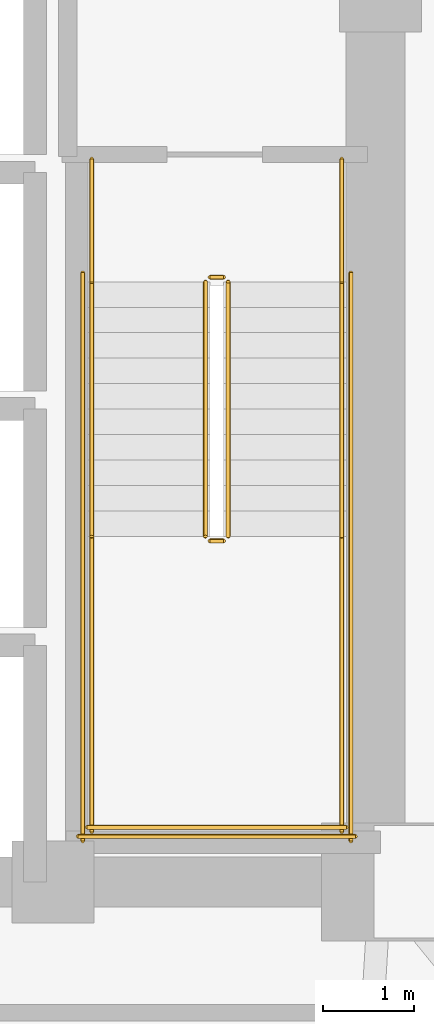
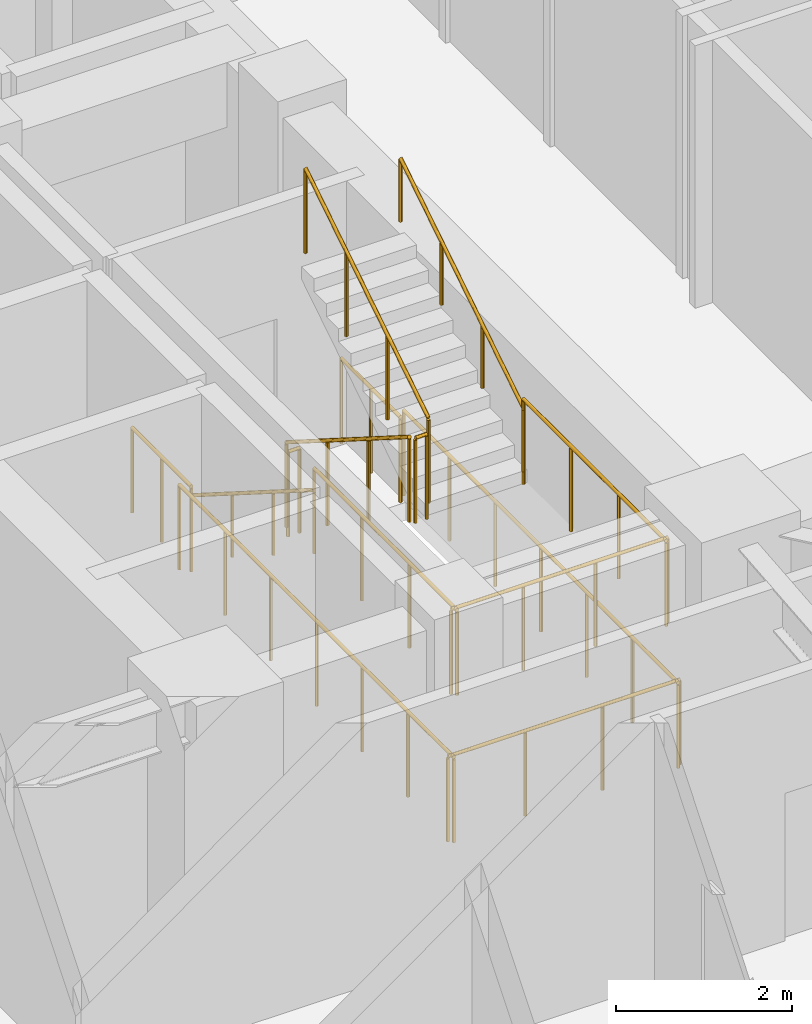
# One storey, part 28 of 28: 14 railings.
"""IFC4 building model written with IfcOpenShell, lengths in metres."""

from ifc_helpers import new_model, si_unit, direction, frame, origin, origin_2d, place, context, subcontext, project, spatial, circle, extrude, material, type_object, element, save


model = new_model("IFC4")

# Units and contexts
model_context = context("Model", 3, precision=1e-05, world=origin(), true_north=direction((0.0, 1.0)))
body_context = subcontext(model_context, "Body", "Model", "MODEL_VIEW")
ifc_project = project(units=[si_unit("LENGTHUNIT", "METRE"), si_unit("AREAUNIT", "SQUARE_METRE"), si_unit("VOLUMEUNIT", "CUBIC_METRE"), si_unit("PLANEANGLEUNIT", "RADIAN"), si_unit("MASSUNIT", "GRAM", prefix="KILO")], contexts=[model_context])

# Site, building, storey
site_placement = place(None, origin())
site = spatial("IfcSite", under=ifc_project, at=site_placement, CompositionType="ELEMENT")
building_placement = place(site_placement, origin())
building = spatial("IfcBuilding", under=site, at=building_placement, Name="Voryun Gate Residences", CompositionType="ELEMENT")
storey_placement = place(building_placement, frame((0.0, 0.0, 117.0)))
storey = spatial("IfcBuildingStorey", under=building, at=storey_placement, Name="L28", CompositionType="ELEMENT", Elevation=117.0)

# Railings
ifc_material_1 = material(Name="Painted steel", Category="steel")
railing_type_1 = type_object("IfcRailingType", Name="RAIL_STAIR_GUARD_1200", PredefinedType="GUARDRAIL", material=ifc_material_1)
railing_1_placement = place(storey_placement, frame((17.27490234375, -0.800048828125, 0.17724609375)))
element("IfcRailing", 1, at=railing_1_placement, inside=storey, type_object=railing_type_1, Name="L28 ST-E1 stair guard 1", PredefinedType="GUARDRAIL", context=body_context, shape_type="SweptSolid", body=[
    extrude(circle(Radius=0.02392578125, at=origin_2d()), frame((0.0, 0.0, 1.17578125), z_axis=(0.0, -0.844908973607, 0.534910110503), x_axis=(1.0, 0.0, 0.0)), (0.0, 0.0, 1.0), 3.31396484375),
    extrude(circle(Radius=0.02099609375, at=origin_2d()), origin(), (0.0, 0.0, 1.0), 1.15185546875),
    extrude(circle(Radius=0.02099609375, at=origin_2d()), frame((0.0, -0.933349609375, 0.5908203125)), (0.0, 0.0, 1.0), 1.15185546875),
    extrude(circle(Radius=0.02099609375, at=origin_2d()), frame((0.0, -1.86669921875, 1.181884765625)), (0.0, 0.0, 1.0), 1.15185546875),
    extrude(circle(Radius=0.02099609375, at=origin_2d()), frame((0.0, -2.800048828125, 1.772705078125)), (0.0, 0.0, 1.0), 1.15185546875),
])
railing_2_placement = place(storey_placement, frame((17.324951171875, -3.64990234375, 1.949951171875)))
element("IfcRailing", 2, at=railing_2_placement, inside=storey, type_object=railing_type_1, Name="L28 ST-E1 stair guard 2", PredefinedType="GUARDRAIL", context=body_context, shape_type="SweptSolid", body=[
    extrude(circle(Radius=0.02392578125, at=origin_2d()), frame((0.0, 0.0, 1.17578125), z_axis=(1.0, 0.0, 0.0), x_axis=(0.0, 1.0, 0.0)), (0.0, 0.0, 1.0), 0.150146484375),
    extrude(circle(Radius=0.02099609375, at=origin_2d()), origin(), (0.0, 0.0, 1.0), 1.15185546875),
    extrude(circle(Radius=0.02099609375, at=origin_2d()), frame((0.150146484375, 0.0, 0.0)), (0.0, 0.0, 1.0), 1.15185546875),
])
for number, where, name in (
    (3, (16.02490234375, -3.60009765625, 1.949951171875), "L28 ST-E1 stair guard 3"),
    (4, (18.77490234375, -3.60009765625, 1.949951171875), "L28 ST-E1 stair guard 4"),
):
    element("IfcRailing", number, at=place(storey_placement, frame(where)), inside=storey, type_object=railing_type_1, Name=name, PredefinedType="GUARDRAIL", context=body_context, shape_type="SweptSolid", body=[
        extrude(circle(Radius=0.02392578125, at=origin_2d()), frame((0.0, 0.0, 1.17578125), z_axis=(0.0, -1.0, 0.0), x_axis=(1.0, 0.0, 0.0)), (0.0, 0.0, 1.0), 3.25),
        extrude(circle(Radius=0.02099609375, at=origin_2d()), origin(), (0.0, 0.0, 1.0), 1.15185546875),
        extrude(circle(Radius=0.02099609375, at=origin_2d()), frame((0.0, -1.083251953125, 0.0)), (0.0, 0.0, 1.0), 1.15185546875),
        extrude(circle(Radius=0.02099609375, at=origin_2d()), frame((0.0, -2.166748046875, 0.0)), (0.0, 0.0, 1.0), 1.15185546875),
        extrude(circle(Radius=0.02099609375, at=origin_2d()), frame((0.0, -3.25, 0.0)), (0.0, 0.0, 1.0), 1.15185546875),
    ])
railing_3_placement = place(storey_placement, frame((15.97509765625, -6.800048828125, 1.949951171875)))
element("IfcRailing", 5, at=railing_3_placement, inside=storey, type_object=railing_type_1, Name="L28 ST-E1 stair guard 5", PredefinedType="GUARDRAIL", context=body_context, shape_type="SweptSolid", body=[
    extrude(circle(Radius=0.02392578125, at=origin_2d()), frame((0.0, 0.0, 1.17578125), z_axis=(1.0, 0.0, 0.0), x_axis=(0.0, 1.0, 0.0)), (0.0, 0.0, 1.0), 2.849853515625),
    extrude(circle(Radius=0.02099609375, at=origin_2d()), origin(), (0.0, 0.0, 1.0), 1.15185546875),
    extrude(circle(Radius=0.02099609375, at=origin_2d()), frame((0.949951171875, 0.0, 0.0)), (0.0, 0.0, 1.0), 1.15185546875),
    extrude(circle(Radius=0.02099609375, at=origin_2d()), frame((1.89990234375, 0.0, 0.0)), (0.0, 0.0, 1.0), 1.15185546875),
    extrude(circle(Radius=0.02099609375, at=origin_2d()), frame((2.849853515625, 0.0, 0.0)), (0.0, 0.0, 1.0), 1.15185546875),
])
railing_4_placement = place(storey_placement, frame((17.52490234375, -3.60009765625, 2.127197265625)))
element("IfcRailing", 6, at=railing_4_placement, inside=storey, type_object=railing_type_1, Name="L28 ST-E1 stair guard 6", PredefinedType="GUARDRAIL", context=body_context, shape_type="SweptSolid", body=[
    extrude(circle(Radius=0.02392578125, at=origin_2d()), frame((0.0, 0.0, 1.17578125), z_axis=(0.0, 0.844908973607, 0.534910110503), x_axis=(-1.0, 0.0, 0.0)), (0.0, 0.0, 1.0), 3.31396484375),
    extrude(circle(Radius=0.02099609375, at=origin_2d()), origin(), (0.0, 0.0, 1.0), 1.15185546875),
    extrude(circle(Radius=0.02099609375, at=origin_2d()), frame((0.0, 0.933349609375, 0.5908203125)), (0.0, 0.0, 1.0), 1.15185546875),
    extrude(circle(Radius=0.02099609375, at=origin_2d()), frame((0.0, 1.86669921875, 1.181884765625)), (0.0, 0.0, 1.0), 1.15185546875),
    extrude(circle(Radius=0.02099609375, at=origin_2d()), frame((0.0, 2.800048828125, 1.772705078125)), (0.0, 0.0, 1.0), 1.15185546875),
])
railing_5_placement = place(storey_placement, frame((17.324951171875, -0.75, 0.0)))
element("IfcRailing", 7, at=railing_5_placement, inside=storey, type_object=railing_type_1, Name="L28 ST-E1 stair guard 7", PredefinedType="GUARDRAIL", context=body_context, shape_type="SweptSolid", body=[
    extrude(circle(Radius=0.02392578125, at=origin_2d()), frame((0.0, 0.0, 1.17578125), z_axis=(1.0, 0.0, 0.0), x_axis=(0.0, 1.0, 0.0)), (0.0, 0.0, 1.0), 0.150146484375),
    extrude(circle(Radius=0.02099609375, at=origin_2d()), origin(), (0.0, 0.0, 1.0), 1.15185546875),
    extrude(circle(Radius=0.02099609375, at=origin_2d()), frame((0.150146484375, 0.0, 0.0)), (0.0, 0.0, 1.0), 1.15185546875),
])
for number, where, name in (
    (8, (16.02490234375, 0.550048828125, 0.0), "L28 ST-E1 stair guard 8"),
    (9, (18.77490234375, 0.550048828125, 0.0), "L28 ST-E1 stair guard 9"),
):
    element("IfcRailing", number, at=place(storey_placement, frame(where)), inside=storey, type_object=railing_type_1, Name=name, PredefinedType="GUARDRAIL", context=body_context, shape_type="SweptSolid", body=[
        extrude(circle(Radius=0.02392578125, at=origin_2d()), frame((0.0, 0.0, 1.17578125), z_axis=(0.0, -1.0, 0.0), x_axis=(1.0, 0.0, 0.0)), (0.0, 0.0, 1.0), 1.35009765625),
        extrude(circle(Radius=0.02099609375, at=origin_2d()), origin(), (0.0, 0.0, 1.0), 1.15185546875),
        extrude(circle(Radius=0.02099609375, at=origin_2d()), frame((0.0, -0.675048828125, 0.0)), (0.0, 0.0, 1.0), 1.15185546875),
        extrude(circle(Radius=0.02099609375, at=origin_2d()), frame((0.0, -1.35009765625, 0.0)), (0.0, 0.0, 1.0), 1.15185546875),
    ])
for number, where, name in (
    (10, (15.925048828125, -0.699951171875, 0.0), "L28 ST-E1 stair guard 10"),
    (11, (18.875, -0.699951171875, 0.0), "L28 ST-E1 stair guard 11"),
):
    element("IfcRailing", number, at=place(storey_placement, frame(where)), inside=storey, type_object=railing_type_1, Name=name, PredefinedType="GUARDRAIL", context=body_context, shape_type="SweptSolid", body=[
        extrude(circle(Radius=0.02392578125, at=origin_2d()), frame((0.0, 0.0, 1.17578125), z_axis=(0.0, -1.0, 0.0), x_axis=(1.0, 0.0, 0.0)), (0.0, 0.0, 1.0), 6.25),
        extrude(circle(Radius=0.02099609375, at=origin_2d()), origin(), (0.0, 0.0, 1.0), 1.15185546875),
        extrude(circle(Radius=0.02099609375, at=origin_2d()), frame((0.0, -1.041748046875, 0.0)), (0.0, 0.0, 1.0), 1.15185546875),
        extrude(circle(Radius=0.02099609375, at=origin_2d()), frame((0.0, -2.083251953125, 0.0)), (0.0, 0.0, 1.0), 1.15185546875),
        extrude(circle(Radius=0.02099609375, at=origin_2d()), frame((0.0, -3.125, 0.0)), (0.0, 0.0, 1.0), 1.15185546875),
        extrude(circle(Radius=0.02099609375, at=origin_2d()), frame((0.0, -4.166748046875, 0.0)), (0.0, 0.0, 1.0), 1.15185546875),
        extrude(circle(Radius=0.02099609375, at=origin_2d()), frame((0.0, -5.208251953125, 0.0)), (0.0, 0.0, 1.0), 1.15185546875),
        extrude(circle(Radius=0.02099609375, at=origin_2d()), frame((0.0, -6.25, 0.0)), (0.0, 0.0, 1.0), 1.15185546875),
    ])
railing_6_placement = place(storey_placement, frame((15.875, -6.89990234375, 0.0)))
element("IfcRailing", 12, at=railing_6_placement, inside=storey, type_object=railing_type_1, Name="L28 ST-E1 stair guard 12", PredefinedType="GUARDRAIL", context=body_context, shape_type="SweptSolid", body=[
    extrude(circle(Radius=0.02392578125, at=origin_2d()), frame((0.0, 0.0, 1.17578125), z_axis=(1.0, 0.0, 0.0), x_axis=(0.0, 1.0, 0.0)), (0.0, 0.0, 1.0), 3.050048828125),
    extrude(circle(Radius=0.02099609375, at=origin_2d()), origin(), (0.0, 0.0, 1.0), 1.15185546875),
    extrude(circle(Radius=0.02099609375, at=origin_2d()), frame((1.0166015625, 0.0, 0.0)), (0.0, 0.0, 1.0), 1.15185546875),
    extrude(circle(Radius=0.02099609375, at=origin_2d()), frame((2.033447265625, 0.0, 0.0)), (0.0, 0.0, 1.0), 1.15185546875),
    extrude(circle(Radius=0.02099609375, at=origin_2d()), frame((3.050048828125, 0.0, 0.0)), (0.0, 0.0, 1.0), 1.15185546875),
])
ifc_material_2 = material(Name="Painted steel", Category="steel")
railing_type_2 = type_object("IfcRailingType", Name="RAIL_STAIR_HANDRAIL_900", PredefinedType="HANDRAIL", material=ifc_material_2)
railing_7_placement = place(storey_placement, frame((16.02490234375, -0.800048828125, 0.17724609375)))
element("IfcRailing", 13, at=railing_7_placement, inside=storey, type_object=railing_type_2, Name="L28 ST-E1 stair handrail 1", PredefinedType="HANDRAIL", context=body_context, shape_type="SweptSolid", body=[
    extrude(circle(Radius=0.02392578125, at=origin_2d()), frame((0.0, 0.0, 0.8759765625), z_axis=(0.0, -0.844908973607, 0.534910110503), x_axis=(1.0, 0.0, 0.0)), (0.0, 0.0, 1.0), 3.31396484375),
    extrude(circle(Radius=0.02099609375, at=origin_2d()), origin(), (0.0, 0.0, 1.0), 0.851806640625),
    extrude(circle(Radius=0.02099609375, at=origin_2d()), frame((0.0, -0.933349609375, 0.5908203125)), (0.0, 0.0, 1.0), 0.851806640625),
    extrude(circle(Radius=0.02099609375, at=origin_2d()), frame((0.0, -1.86669921875, 1.181884765625)), (0.0, 0.0, 1.0), 0.851806640625),
    extrude(circle(Radius=0.02099609375, at=origin_2d()), frame((0.0, -2.800048828125, 1.772705078125)), (0.0, 0.0, 1.0), 0.851806640625),
])
railing_8_placement = place(storey_placement, frame((18.77490234375, -3.60009765625, 2.127197265625)))
element("IfcRailing", 14, at=railing_8_placement, inside=storey, type_object=railing_type_2, Name="L28 ST-E1 stair handrail 2", PredefinedType="HANDRAIL", context=body_context, shape_type="SweptSolid", body=[
    extrude(circle(Radius=0.02392578125, at=origin_2d()), frame((0.0, 0.0, 0.8759765625), z_axis=(0.0, 0.844908973607, 0.534910110503), x_axis=(-1.0, 0.0, 0.0)), (0.0, 0.0, 1.0), 3.31396484375),
    extrude(circle(Radius=0.02099609375, at=origin_2d()), origin(), (0.0, 0.0, 1.0), 0.851806640625),
    extrude(circle(Radius=0.02099609375, at=origin_2d()), frame((0.0, 0.933349609375, 0.5908203125)), (0.0, 0.0, 1.0), 0.851806640625),
    extrude(circle(Radius=0.02099609375, at=origin_2d()), frame((0.0, 1.86669921875, 1.181884765625)), (0.0, 0.0, 1.0), 0.851806640625),
    extrude(circle(Radius=0.02099609375, at=origin_2d()), frame((0.0, 2.800048828125, 1.772705078125)), (0.0, 0.0, 1.0), 0.851806640625),
])

save(model, "model.ifc")
